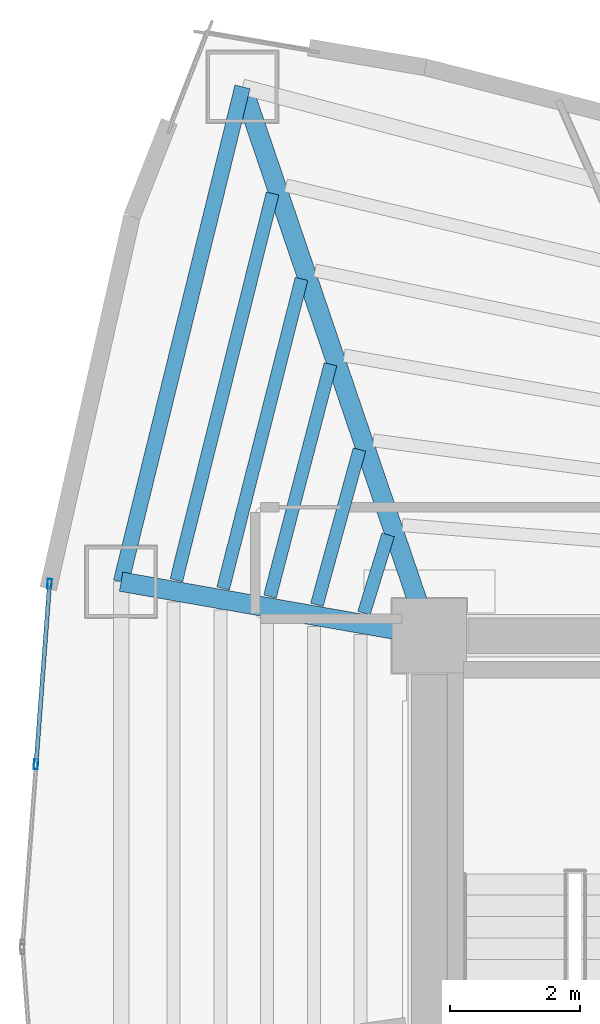
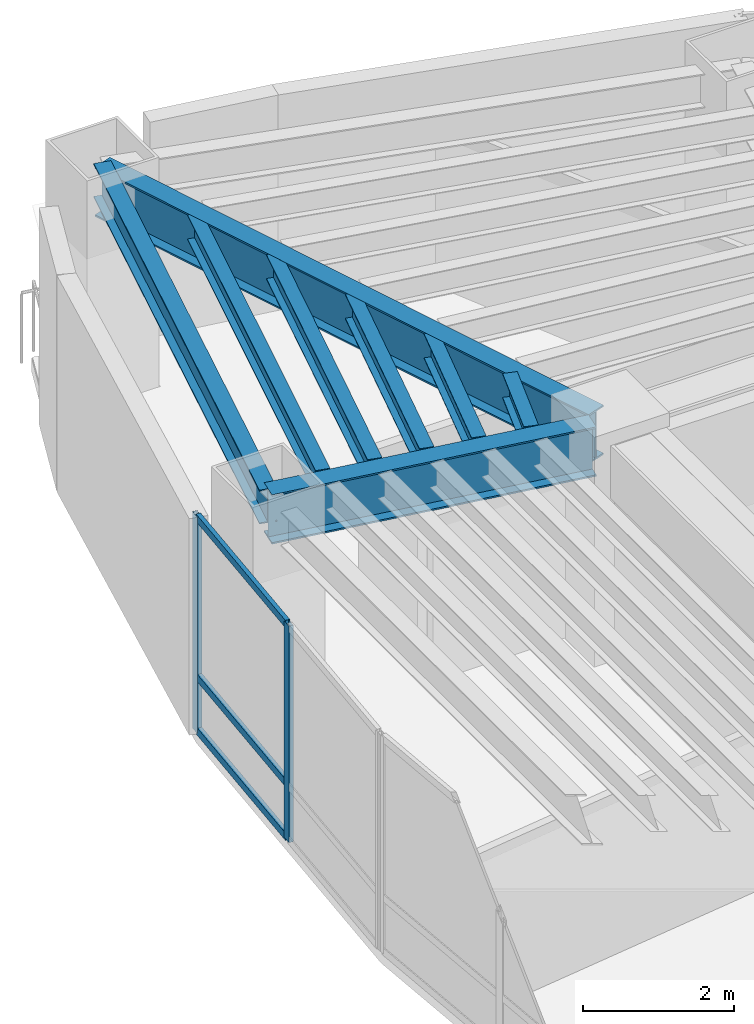
# One storey, part 7 of 15: 8 beams, 5 members, 1 element without a shape of its own.
"""IFC4 building model written with IfcOpenShell, lengths in metres."""

from ifc_helpers import new_model, si_unit, direction, frame, origin, origin_2d, place, context, subcontext, project, spatial, hollow_rectangle, i_section, extrude, material, layer, layer_set, material_profile, profile_set, type_object, element, aggregate, save


model = new_model("IFC4")

# Units and contexts
model_context = context("Model", 3, precision=1e-05, world=origin(), true_north=direction((0.0, 1.0)))
body_context = subcontext(model_context, "Body", "Model", "MODEL_VIEW")
ifc_project = project(units=[si_unit("LENGTHUNIT", "METRE"), si_unit("AREAUNIT", "SQUARE_METRE"), si_unit("VOLUMEUNIT", "CUBIC_METRE"), si_unit("PLANEANGLEUNIT", "RADIAN"), si_unit("MASSUNIT", "GRAM", prefix="KILO")], contexts=[model_context])

# Site, building, storey
site_placement = place(None, origin())
site = spatial("IfcSite", under=ifc_project, at=site_placement, CompositionType="ELEMENT")
building_placement = place(site_placement, origin())
building = spatial("IfcBuilding", under=site, at=building_placement, Name="Menara Vayukalpa", CompositionType="ELEMENT")
storey_placement = place(building_placement, frame((0.0, 0.0, 141.179931640625)))
storey = spatial("IfcBuildingStorey", under=building, at=storey_placement, Name="L35", CompositionType="ELEMENT", Elevation=141.179931640625)

# Beams
ifc_material_1 = material(Name="Steel S355", Category="steel")
ifc_material_profile_1 = material_profile(ifc_material_1, i_section(OverallWidth=0.300048828125, OverallDepth=0.800048828125, WebThickness=0.013916015625, FlangeThickness=0.02587890625, at=origin_2d()), Name="WF 800x300x14x26")
ifc_profile_set_1 = profile_set([ifc_material_profile_1], Name="Steel S355")
beam_type_1 = type_object("IfcBeamType", Name="BM-PG3", PredefinedType="BEAM", material=ifc_profile_set_1)
beam_1_placement = place(storey_placement, frame((17.719482421875, 27.03662109375, 3.10009765625), z_axis=(-0.322207533072, 0.946669058136, 0.0), x_axis=(-0.946669058136, -0.322207533072, 0.0)))
element("IfcBeam", 1, at=beam_1_placement, inside=storey, type_object=beam_type_1, Name="L35 Primary Radial Girder RG04", PredefinedType="BEAM", context=body_context, shape_type="SweptSolid", body=[
    extrude(i_section(OverallWidth=0.300048828125, OverallDepth=0.800048828125, WebThickness=0.013916015625, FlangeThickness=0.02587890625, at=origin_2d()), origin(), (0.0, 0.0, 1.0), 8.687255859375),
])
beam_2_placement = place(storey_placement, frame((17.5537109375, 26.843017578125, 3.10009765625), z_axis=(-0.985011651805, 0.172487813505, 0.0), x_axis=(-0.172487813505, -0.985011651805, 0.0)))
element("IfcBeam", 2, at=beam_2_placement, inside=storey, type_object=beam_type_1, Name="L35 Primary Radial Girder RG05", PredefinedType="BEAM", context=body_context, shape_type="SweptSolid", body=[
    extrude(i_section(OverallWidth=0.300048828125, OverallDepth=0.800048828125, WebThickness=0.013916015625, FlangeThickness=0.02587890625, at=origin_2d()), origin(), (0.0, 0.0, 1.0), 4.5732421875),
])
ifc_material_2 = material(Name="Steel S355", Category="steel")
ifc_material_profile_2 = material_profile(ifc_material_2, i_section(OverallWidth=0.199951171875, OverallDepth=0.39990234375, WebThickness=0.008056640625, FlangeThickness=0.012939453125, at=origin_2d()), Name="WF 400x200x8x13")
ifc_profile_set_2 = profile_set([ifc_material_profile_2], Name="Steel S355")
beam_type_2 = type_object("IfcBeamType", Name="BM-SJ2", PredefinedType="JOIST", material=ifc_profile_set_2)
beam_3_placement = place(storey_placement, frame((17.16552734375, 28.3544921875, 3.300048828125), z_axis=(-0.294927758635, -0.955519553534, 0.0), x_axis=(0.955519553534, -0.294927758635, 0.0)))
element("IfcBeam", 3, at=beam_3_placement, inside=storey, type_object=beam_type_2, Name="L35 Secondary Floor Joist SJ04-1", PredefinedType="JOIST", context=body_context, shape_type="SweptSolid", body=[
    extrude(i_section(OverallWidth=0.199951171875, OverallDepth=0.39990234375, WebThickness=0.008056640625, FlangeThickness=0.012939453125, at=origin_2d()), origin(), (0.0, 0.0, 1.0), 1.26318359375),
])
beam_4_placement = place(storey_placement, frame((16.722900390625, 29.668701171875, 3.300048828125), z_axis=(-0.264232640077, -0.964458973683, 0.0), x_axis=(0.964458973683, -0.264232640077, 0.0)))
element("IfcBeam", 4, at=beam_4_placement, inside=storey, type_object=beam_type_2, Name="L35 Secondary Floor Joist SJ04-2", PredefinedType="JOIST", context=body_context, shape_type="SweptSolid", body=[
    extrude(i_section(OverallWidth=0.199951171875, OverallDepth=0.39990234375, WebThickness=0.008056640625, FlangeThickness=0.012939453125, at=origin_2d()), origin(), (0.0, 0.0, 1.0), 2.481689453125),
])
beam_5_placement = place(storey_placement, frame((16.277099609375, 30.984130859375, 3.300048828125), z_axis=(-0.252021814079, -0.967721553562, 0.0), x_axis=(0.967721553562, -0.252021814079, 0.0)))
element("IfcBeam", 5, at=beam_5_placement, inside=storey, type_object=beam_type_2, Name="L35 Secondary Floor Joist SJ04-3", PredefinedType="JOIST", context=body_context, shape_type="SweptSolid", body=[
    extrude(i_section(OverallWidth=0.199951171875, OverallDepth=0.39990234375, WebThickness=0.008056640625, FlangeThickness=0.012939453125, at=origin_2d()), origin(), (0.0, 0.0, 1.0), 3.701416015625),
])
beam_6_placement = place(storey_placement, frame((15.830322265625, 32.299560546875, 3.300048828125), z_axis=(-0.245440749471, -0.969411593958, 0.0), x_axis=(0.969411593958, -0.245440749471, 0.0)))
element("IfcBeam", 6, at=beam_6_placement, inside=storey, type_object=beam_type_2, Name="L35 Secondary Floor Joist SJ04-4", PredefinedType="JOIST", context=body_context, shape_type="SweptSolid", body=[
    extrude(i_section(OverallWidth=0.199951171875, OverallDepth=0.39990234375, WebThickness=0.008056640625, FlangeThickness=0.012939453125, at=origin_2d()), origin(), (0.0, 0.0, 1.0), 4.921875),
])
beam_7_placement = place(storey_placement, frame((15.38330078125, 33.615234375, 3.300048828125), z_axis=(-0.241356999927, -0.970436395951, 0.0), x_axis=(0.970436395951, -0.241356999927, 0.0)))
element("IfcBeam", 7, at=beam_7_placement, inside=storey, type_object=beam_type_2, Name="L35 Secondary Floor Joist SJ04-5", PredefinedType="JOIST", context=body_context, shape_type="SweptSolid", body=[
    extrude(i_section(OverallWidth=0.199951171875, OverallDepth=0.39990234375, WebThickness=0.008056640625, FlangeThickness=0.012939453125, at=origin_2d()), origin(), (0.0, 0.0, 1.0), 6.14208984375),
])
ifc_material_3 = material(Name="Steel S355", Category="steel")
ifc_material_profile_3 = material_profile(ifc_material_3, i_section(OverallWidth=0.239990234375, OverallDepth=0.550048828125, WebThickness=0.010986328125, FlangeThickness=0.01904296875, at=origin_2d()), Name="WF 550x240x11x19")
ifc_profile_set_3 = profile_set([ifc_material_profile_3], Name="Steel S355")
beam_type_3 = type_object("IfcBeamType", Name="BM-SP2", PredefinedType="SPANDREL", material=ifc_profile_set_3)
beam_8_placement = place(storey_placement, frame((14.92041015625, 35.260498046875, 3.22509765625), z_axis=(-0.238240335346, -0.971206230733, 0.0), x_axis=(0.971206230733, -0.238240335346, 0.0)))
element("IfcBeam", 8, at=beam_8_placement, inside=storey, type_object=beam_type_3, Name="L35 Perimeter Spandrel Beam SP04", PredefinedType="SPANDREL", context=body_context, shape_type="SweptSolid", body=[
    extrude(i_section(OverallWidth=0.239990234375, OverallDepth=0.550048828125, WebThickness=0.010986328125, FlangeThickness=0.01904296875, at=origin_2d()), origin(), (0.0, 0.0, 1.0), 7.854736328125),
])

# Curtain wall, members
ifc_material_4 = material(Name="Anodised Terracotta Aluminium Alloy 6063-T6", Category="masonry")
ifc_layer = layer(ifc_material_4, 0.14990234375)
ifc_layer_set = layer_set([ifc_layer], Name="Anodised Terracotta Aluminium Alloy 6063-T6")
curtain_wall_type = type_object("IfcCurtainWallType", Name="CW-CW3", PredefinedType="USERDEFINED", material=ifc_layer_set)
curtain_wall_placement = place(storey_placement, origin())
curtain_wall = element("IfcCurtainWall", 9, at=curtain_wall_placement, inside=storey, type_object=curtain_wall_type, Name="L35 Mid Rise Terracotta Ribbon Curtain Wall CW3 10", ObjectType="UNITISED", PredefinedType="USERDEFINED")
ifc_material_5 = material(Name="Anodised Terracotta Aluminium Alloy 6063-T6", Category="masonry")
ifc_material_profile_4 = material_profile(ifc_material_5, hollow_rectangle(XDim=0.06494140625, YDim=0.14990234375, WallThickness=0.00341796875, at=origin_2d()), Name="ALU 65x150x3.5")
ifc_profile_set_4 = profile_set([ifc_material_profile_4], Name="Anodised Terracotta Aluminium Alloy 6063-T6")
member_type_1 = type_object("IfcMemberType", Name="CWM-CW3", PredefinedType="MULLION", material=ifc_profile_set_4)
member_1_placement = place(storey_placement, frame((11.94677734375, 27.599365234375, 0.0), z_axis=(0.0, 0.0, 1.0), x_axis=(0.997199111801, -0.074792589364, 0.0)))
member_1 = element("IfcMember", 10, at=member_1_placement, type_object=member_type_1, Name="CW3 mullion 1", PredefinedType="MULLION", context=body_context, shape_type="SweptSolid", body=[
    extrude(hollow_rectangle(XDim=0.06494140625, YDim=0.14990234375, WallThickness=0.00341796875, at=origin_2d()), origin(), (0.0, 0.0, 1.0), 3.5),
])
member_2_placement = place(storey_placement, frame((11.73779296875, 24.81591796875, 0.0), z_axis=(0.0, 0.0, 1.0), x_axis=(0.997199111801, -0.074792589364, 0.0)))
member_2 = element("IfcMember", 11, at=member_2_placement, type_object=member_type_1, Name="CW3 mullion 2", PredefinedType="MULLION", context=body_context, shape_type="SweptSolid", body=[
    extrude(hollow_rectangle(XDim=0.06494140625, YDim=0.14990234375, WallThickness=0.00341796875, at=origin_2d()), origin(), (0.0, 0.0, 1.0), 3.5),
])
ifc_material_6 = material(Name="Anodised Terracotta Aluminium Alloy 6063-T6", Category="masonry")
ifc_material_profile_5 = material_profile(ifc_material_6, hollow_rectangle(XDim=0.06494140625, YDim=0.1201171875, WallThickness=0.00341796875, at=origin_2d()), Name="ALU 65x120x3.5")
ifc_profile_set_5 = profile_set([ifc_material_profile_5], Name="Anodised Terracotta Aluminium Alloy 6063-T6")
member_type_2 = type_object("IfcMemberType", Name="CWT-CW3", PredefinedType="USERDEFINED", material=ifc_profile_set_5)
member_3_placement = place(storey_placement, frame((11.9443359375, 27.56689453125, 0.032470703125), z_axis=(-0.074867870211, -0.997193462679, 0.0), x_axis=(0.997193462679, -0.074867870211, 0.0)))
member_3 = element("IfcMember", 12, at=member_3_placement, type_object=member_type_2, Name="CW3 transom 1.1", ObjectType="TRANSOM", PredefinedType="USERDEFINED", context=body_context, shape_type="SweptSolid", body=[
    extrude(hollow_rectangle(XDim=0.06494140625, YDim=0.1201171875, WallThickness=0.00341796875, at=origin_2d()), origin(), (0.0, 0.0, 1.0), 2.72607421875),
])
member_4_placement = place(storey_placement, frame((11.9443359375, 27.56689453125, 0.900146484375), z_axis=(-0.074867870211, -0.997193462679, 0.0), x_axis=(0.997193462679, -0.074867870211, 0.0)))
member_4 = element("IfcMember", 13, at=member_4_placement, type_object=member_type_2, Name="CW3 transom 1.2", ObjectType="TRANSOM", PredefinedType="USERDEFINED", context=body_context, shape_type="SweptSolid", body=[
    extrude(hollow_rectangle(XDim=0.06494140625, YDim=0.1201171875, WallThickness=0.00341796875, at=origin_2d()), origin(), (0.0, 0.0, 1.0), 2.72607421875),
])
member_5_placement = place(storey_placement, frame((11.9443359375, 27.56689453125, 3.467529296875), z_axis=(-0.074867870211, -0.997193462679, 0.0), x_axis=(0.997193462679, -0.074867870211, 0.0)))
member_5 = element("IfcMember", 14, at=member_5_placement, type_object=member_type_2, Name="CW3 transom 1.3", ObjectType="TRANSOM", PredefinedType="USERDEFINED", context=body_context, shape_type="SweptSolid", body=[
    extrude(hollow_rectangle(XDim=0.06494140625, YDim=0.1201171875, WallThickness=0.00341796875, at=origin_2d()), origin(), (0.0, 0.0, 1.0), 2.72607421875),
])
aggregate(curtain_wall, [member_1, member_2, member_3, member_4, member_5])

save(model, "model.ifc")
